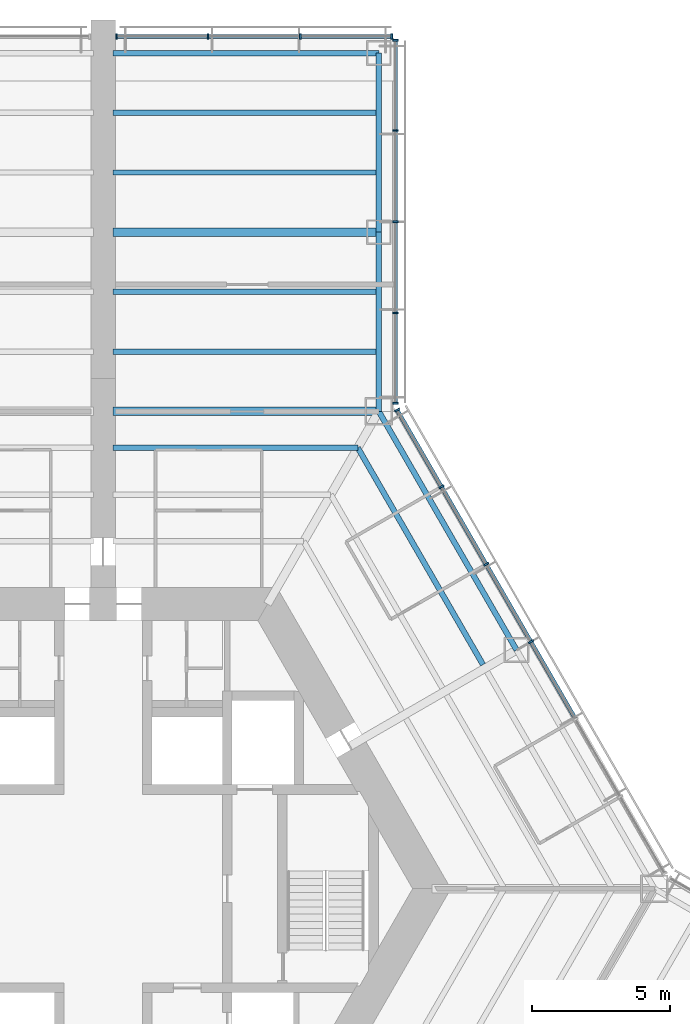
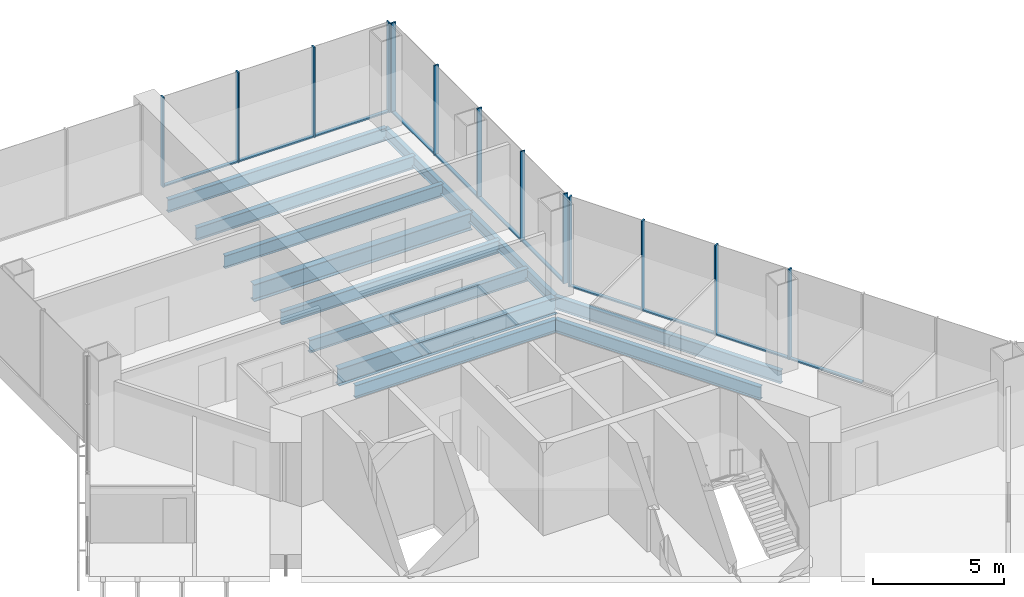
# One storey, part 7 of 17: 24 members, 12 beams, 3 elements without a shape of their own.
"""IFC4 building model written with IfcOpenShell, lengths in metres."""

from ifc_helpers import new_model, si_unit, direction, frame, origin, origin_2d, place, context, subcontext, project, spatial, rectangle, i_section, extrude, material, material_profile, profile_set, type_object, element, aggregate, save


model = new_model("IFC4")

# Units and contexts
model_context = context("Model", 3, precision=1e-05, world=origin(), true_north=direction((0.0, 1.0)))
body_context = subcontext(model_context, "Body", "Model", "MODEL_VIEW")
ifc_project = project(units=[si_unit("LENGTHUNIT", "METRE"), si_unit("AREAUNIT", "SQUARE_METRE"), si_unit("VOLUMEUNIT", "CUBIC_METRE"), si_unit("PLANEANGLEUNIT", "RADIAN"), si_unit("MASSUNIT", "GRAM", prefix="KILO")], contexts=[model_context])

# Site, building, storey
site_placement = place(None, origin())
site = spatial("IfcSite", under=ifc_project, at=site_placement, CompositionType="ELEMENT")
building_placement = place(site_placement, origin())
building = spatial("IfcBuilding", under=site, at=building_placement, Name="Kasaneha Research Tower", CompositionType="ELEMENT")
storey_placement = place(building_placement, frame((0.0, 0.0, 47.800048828125)))
storey = spatial("IfcBuildingStorey", under=building, at=storey_placement, Name="L12", CompositionType="ELEMENT", Elevation=47.800048828125)

# Beams
ifc_material_1 = material(Name="Steel SN490B", Category="steel")
ifc_material_profile_1 = material_profile(ifc_material_1, i_section(OverallWidth=0.199951171875, OverallDepth=0.60009765625, WebThickness=0.010986328125, FlangeThickness=0.01708984375, FilletRadius=0.012939453125, at=origin_2d()), Name="H-600x200x11x17")
ifc_profile_set_1 = profile_set([ifc_material_profile_1], Name="Steel SN490B")
beam_type_1 = type_object("IfcBeamType", Name="B1-2 secondary beam H-600x200x11x17", PredefinedType="JOIST", material=ifc_profile_set_1)
beam_1_placement = place(storey_placement, frame((9.237548828125, 16.0, -0.469970703125), z_axis=(0.500010814234, -0.866019160093, 0.0), x_axis=(0.866019160093, 0.500010814234, 0.0)))
element("IfcBeam", 1, at=beam_1_placement, inside=storey, type_object=beam_type_1, Name="Secondary beam RS030R3 L12", PredefinedType="JOIST", context=body_context, shape_type="SweptSolid", body=[
    extrude(i_section(OverallWidth=0.199951171875, OverallDepth=0.60009765625, WebThickness=0.010986328125, FlangeThickness=0.01708984375, FilletRadius=0.012939453125, at=origin_2d()), origin(), (0.0, 0.0, 1.0), 9.087646484375),
])
beam_2_placement = place(storey_placement, frame((9.237548828125, 16.0, -0.469970703125), z_axis=(-1.0, 0.0, 0.0), x_axis=(0.0, -1.0, 0.0)))
element("IfcBeam", 2, at=beam_2_placement, inside=storey, type_object=beam_type_1, Name="Secondary beam RS090L3 L12", PredefinedType="JOIST", context=body_context, shape_type="SweptSolid", body=[
    extrude(i_section(OverallWidth=0.199951171875, OverallDepth=0.60009765625, WebThickness=0.010986328125, FlangeThickness=0.01708984375, FilletRadius=0.012939453125, at=origin_2d()), origin(), (0.0, 0.0, 1.0), 8.887451171875),
])
ifc_material_2 = material(Name="Steel SN490B", Category="steel")
ifc_material_profile_2 = material_profile(ifc_material_2, i_section(OverallWidth=0.198974609375, OverallDepth=0.595947265625, WebThickness=0.010009765625, FlangeThickness=0.014892578125, FilletRadius=0.012939453125, at=origin_2d()), Name="H-596x199x10x15")
ifc_profile_set_2 = profile_set([ifc_material_profile_2], Name="Steel SN490B")
beam_type_2 = type_object("IfcBeamType", Name="B2-2 secondary beam H-596x199x10x15", PredefinedType="JOIST", material=ifc_profile_set_2)
for number, where, z_axis, x_axis, name in (
    (3, (10.0, 19.487060546875, -0.468017578125), (-1.0, 0.0, 0.0), (0.0, -1.0, 0.0), "Secondary beam WBAP1 L12"),
    (4, (10.0, 21.65380859375, -0.468017578125), (-1.0, 0.0, 0.0), (0.0, -1.0, 0.0), "Secondary beam WBAP2 L12"),
    (5, (10.0, 25.987060546875, -0.468017578125), (-1.0, 0.0, 0.0), (0.0, -1.0, 0.0), "Secondary beam WBAP3 L12"),
    (6, (10.0, 28.15380859375, -0.468017578125), (-1.0, 0.0, 0.0), (0.0, -1.0, 0.0), "Secondary beam WBAP4 L12"),
):
    element("IfcBeam", number, at=place(storey_placement, frame(where, z_axis=z_axis, x_axis=x_axis)), inside=storey, type_object=beam_type_2, Name=name, PredefinedType="JOIST", context=body_context, shape_type="SweptSolid", body=[
        extrude(i_section(OverallWidth=0.198974609375, OverallDepth=0.595947265625, WebThickness=0.010009765625, FlangeThickness=0.014892578125, FilletRadius=0.012939453125, at=origin_2d()), origin(), (0.0, 0.0, 1.0), 9.64990234375),
    ])

# Curtain wall, members
ifc_material_3 = material(Name="Glass and aluminium", Category="aluminium")
curtain_wall_type = type_object("IfcCurtainWallType", Name="Dry laboratory curtain wall", PredefinedType="USERDEFINED", material=ifc_material_3)
curtain_wall_1_placement = place(storey_placement, origin())
curtain_wall_1 = element("IfcCurtainWall", 7, at=curtain_wall_1_placement, inside=storey, type_object=curtain_wall_type, Name="CW-L2 L12 run 07a", ObjectType="UNITISED CURTAIN WALL", PredefinedType="USERDEFINED")
ifc_material_4 = material(Name="Aluminium 6063-T6", Category="aluminium")
ifc_material_profile_3 = material_profile(ifc_material_4, rectangle(XDim=0.06494140625, YDim=0.199951171875, at=origin_2d()), Name="CW-L2 mullion 65x200")
ifc_profile_set_3 = profile_set([ifc_material_profile_3], Name="Aluminium 6063-T6")
member_type_1 = type_object("IfcMemberType", Name="CW-L2 mullion", PredefinedType="MULLION", material=ifc_profile_set_3)
member_1_placement = place(storey_placement, frame((15.51953125, 8.960205078125, 0.0), z_axis=(0.0, 0.0, 1.0), x_axis=(-0.49999996188, 0.866025425793, 0.0)))
member_1 = element("IfcMember", 8, at=member_1_placement, type_object=member_type_1, Name="CW-L2 mullion 4", PredefinedType="MULLION", context=body_context, shape_type="SweptSolid", body=[
    extrude(rectangle(XDim=0.06494140625, YDim=0.199951171875, at=origin_2d()), origin(), (0.0, 0.0, 1.0), 4.199951171875),
])
member_2_placement = place(storey_placement, frame((13.896484375, 11.771728515625, 0.0), z_axis=(0.0, 0.0, 1.0), x_axis=(-0.49999996188, 0.866025425793, 0.0)))
member_2 = element("IfcMember", 9, at=member_2_placement, type_object=member_type_1, Name="CW-L2 mullion 5", PredefinedType="MULLION", context=body_context, shape_type="SweptSolid", body=[
    extrude(rectangle(XDim=0.06494140625, YDim=0.199951171875, at=origin_2d()), origin(), (0.0, 0.0, 1.0), 4.199951171875),
])
member_3_placement = place(storey_placement, frame((12.273193359375, 14.583251953125, 0.0), z_axis=(0.0, 0.0, 1.0), x_axis=(-0.49999996188, 0.866025425793, 0.0)))
member_3 = element("IfcMember", 10, at=member_3_placement, type_object=member_type_1, Name="CW-L2 mullion 6", PredefinedType="MULLION", context=body_context, shape_type="SweptSolid", body=[
    extrude(rectangle(XDim=0.06494140625, YDim=0.199951171875, at=origin_2d()), origin(), (0.0, 0.0, 1.0), 4.199951171875),
])
member_4_placement = place(storey_placement, frame((10.666259765625, 17.366455078125, 0.0), z_axis=(0.0, 0.0, 1.0), x_axis=(-0.49999996188, 0.866025425793, 0.0)))
member_4 = element("IfcMember", 11, at=member_4_placement, type_object=member_type_1, Name="CW-L2 mullion 7", PredefinedType="MULLION", context=body_context, shape_type="SweptSolid", body=[
    extrude(rectangle(XDim=0.06494140625, YDim=0.199951171875, at=origin_2d()), origin(), (0.0, 0.0, 1.0), 4.199951171875),
])

curtain_wall_2_placement = place(storey_placement, origin())
curtain_wall_2 = element("IfcCurtainWall", 12, at=curtain_wall_2_placement, inside=storey, type_object=curtain_wall_type, Name="CW-L2 L12 run 08a", ObjectType="UNITISED CURTAIN WALL", PredefinedType="USERDEFINED")
member_5_placement = place(storey_placement, frame((10.60009765625, 17.61376953125, 0.0), z_axis=(0.0, 0.0, 1.0), x_axis=(0.0, 1.0, 0.0)))
member_5 = element("IfcMember", 13, at=member_5_placement, type_object=member_type_1, Name="CW-L2 mullion 1", PredefinedType="MULLION", context=body_context, shape_type="SweptSolid", body=[
    extrude(rectangle(XDim=0.06494140625, YDim=0.199951171875, at=origin_2d()), origin(), (0.0, 0.0, 1.0), 4.199951171875),
])
member_6_placement = place(storey_placement, frame((10.60009765625, 20.89111328125, 0.0), z_axis=(0.0, 0.0, 1.0), x_axis=(0.0, 1.0, 0.0)))
member_6 = element("IfcMember", 14, at=member_6_placement, type_object=member_type_1, Name="CW-L2 mullion 2", PredefinedType="MULLION", context=body_context, shape_type="SweptSolid", body=[
    extrude(rectangle(XDim=0.06494140625, YDim=0.199951171875, at=origin_2d()), origin(), (0.0, 0.0, 1.0), 4.199951171875),
])
member_7_placement = place(storey_placement, frame((10.60009765625, 24.200927734375, 0.0), z_axis=(0.0, 0.0, 1.0), x_axis=(0.0, 1.0, 0.0)))
member_7 = element("IfcMember", 15, at=member_7_placement, type_object=member_type_1, Name="CW-L2 mullion 3", PredefinedType="MULLION", context=body_context, shape_type="SweptSolid", body=[
    extrude(rectangle(XDim=0.06494140625, YDim=0.199951171875, at=origin_2d()), origin(), (0.0, 0.0, 1.0), 4.199951171875),
])
member_8_placement = place(storey_placement, frame((10.60009765625, 27.5107421875, 0.0), z_axis=(0.0, 0.0, 1.0), x_axis=(0.0, 1.0, 0.0)))
member_8 = element("IfcMember", 16, at=member_8_placement, type_object=member_type_1, Name="CW-L2 mullion 4", PredefinedType="MULLION", context=body_context, shape_type="SweptSolid", body=[
    extrude(rectangle(XDim=0.06494140625, YDim=0.199951171875, at=origin_2d()), origin(), (0.0, 0.0, 1.0), 4.199951171875),
])
member_9_placement = place(storey_placement, frame((10.60009765625, 30.7880859375, 0.0), z_axis=(0.0, 0.0, 1.0), x_axis=(0.0, 1.0, 0.0)))
member_9 = element("IfcMember", 17, at=member_9_placement, type_object=member_type_1, Name="CW-L2 mullion 5", PredefinedType="MULLION", context=body_context, shape_type="SweptSolid", body=[
    extrude(rectangle(XDim=0.06494140625, YDim=0.199951171875, at=origin_2d()), origin(), (0.0, 0.0, 1.0), 4.199951171875),
])

curtain_wall_3_placement = place(storey_placement, origin())
curtain_wall_3 = element("IfcCurtainWall", 18, at=curtain_wall_3_placement, inside=storey, type_object=curtain_wall_type, Name="CW-L2 L12 run 09a", ObjectType="UNITISED CURTAIN WALL", PredefinedType="USERDEFINED")
member_10_placement = place(storey_placement, frame((10.467529296875, 30.92041015625, 0.0), z_axis=(0.0, 0.0, 1.0), x_axis=(-1.0, 0.0, 0.0)))
member_10 = element("IfcMember", 19, at=member_10_placement, type_object=member_type_1, Name="CW-L2 mullion 1", PredefinedType="MULLION", context=body_context, shape_type="SweptSolid", body=[
    extrude(rectangle(XDim=0.06494140625, YDim=0.199951171875, at=origin_2d()), origin(), (0.0, 0.0, 1.0), 4.199951171875),
])
member_11_placement = place(storey_placement, frame((7.14990234375, 30.92041015625, 0.0), z_axis=(0.0, 0.0, 1.0), x_axis=(-1.0, 0.0, 0.0)))
member_11 = element("IfcMember", 20, at=member_11_placement, type_object=member_type_1, Name="CW-L2 mullion 2", PredefinedType="MULLION", context=body_context, shape_type="SweptSolid", body=[
    extrude(rectangle(XDim=0.06494140625, YDim=0.199951171875, at=origin_2d()), origin(), (0.0, 0.0, 1.0), 4.199951171875),
])
member_12_placement = place(storey_placement, frame((3.800048828125, 30.92041015625, 0.0), z_axis=(0.0, 0.0, 1.0), x_axis=(-1.0, 0.0, 0.0)))
member_12 = element("IfcMember", 21, at=member_12_placement, type_object=member_type_1, Name="CW-L2 mullion 3", PredefinedType="MULLION", context=body_context, shape_type="SweptSolid", body=[
    extrude(rectangle(XDim=0.06494140625, YDim=0.199951171875, at=origin_2d()), origin(), (0.0, 0.0, 1.0), 4.199951171875),
])
member_13_placement = place(storey_placement, frame((0.482421875, 30.92041015625, 0.0), z_axis=(0.0, 0.0, 1.0), x_axis=(-1.0, 0.0, 0.0)))
member_13 = element("IfcMember", 22, at=member_13_placement, type_object=member_type_1, Name="CW-L2 mullion 4", PredefinedType="MULLION", context=body_context, shape_type="SweptSolid", body=[
    extrude(rectangle(XDim=0.06494140625, YDim=0.199951171875, at=origin_2d()), origin(), (0.0, 0.0, 1.0), 4.199951171875),
])

# Member
ifc_material_5 = material(Name="Aluminium 6063-T6", Category="aluminium")
ifc_material_profile_4 = material_profile(ifc_material_5, rectangle(XDim=0.14990234375, YDim=0.06494140625, at=origin_2d()), Name="CW-L2 transom 150x65")
ifc_profile_set_4 = profile_set([ifc_material_profile_4], Name="Aluminium 6063-T6")
member_type_2 = type_object("IfcMemberType", Name="CW-L2 transom", PredefinedType="USERDEFINED", material=ifc_profile_set_4)
member_14_placement = place(storey_placement, frame((17.12646484375, 6.177001953125, 0.032470703125), z_axis=(-0.499977104415, 0.866038622153, 0.0), x_axis=(-0.866038622153, -0.499977104415, 0.0)))
member_14 = element("IfcMember", 23, at=member_14_placement, type_object=member_type_2, Name="CW-L2 transom 3", ObjectType="TRANSOM", PredefinedType="USERDEFINED", context=body_context, shape_type="SweptSolid", body=[
    extrude(rectangle(XDim=0.14990234375, YDim=0.06494140625, at=origin_2d()), origin(), (0.0, 0.0, 1.0), 3.181396484375),
])

member_15_placement = place(storey_placement, frame((15.50341796875, 8.98828125, 0.032470703125), z_axis=(-0.500001430823, 0.866024577697, 0.0), x_axis=(-0.866024577697, -0.500001430823, 0.0)))
member_15 = element("IfcMember", 24, at=member_15_placement, type_object=member_type_2, Name="CW-L2 transom 4", ObjectType="TRANSOM", PredefinedType="USERDEFINED", context=body_context, shape_type="SweptSolid", body=[
    extrude(rectangle(XDim=0.14990234375, YDim=0.06494140625, at=origin_2d()), origin(), (0.0, 0.0, 1.0), 3.181640625),
])

member_16_placement = place(storey_placement, frame((13.880126953125, 11.7998046875, 0.032470703125), z_axis=(-0.499943876812, 0.866057804098, 0.0), x_axis=(-0.866057804098, -0.499943876812, 0.0)))
member_16 = element("IfcMember", 25, at=member_16_placement, type_object=member_type_2, Name="CW-L2 transom 5", ObjectType="TRANSOM", PredefinedType="USERDEFINED", context=body_context, shape_type="SweptSolid", body=[
    extrude(rectangle(XDim=0.14990234375, YDim=0.06494140625, at=origin_2d()), origin(), (0.0, 0.0, 1.0), 3.181396484375),
])

member_17_placement = place(storey_placement, frame((12.2568359375, 14.611328125, 0.032470703125), z_axis=(-0.499941702305, 0.866059059358, 0.0), x_axis=(-0.866059059358, -0.499941702305, 0.0)))
member_17 = element("IfcMember", 26, at=member_17_placement, type_object=member_type_2, Name="CW-L2 transom 6", ObjectType="TRANSOM", PredefinedType="USERDEFINED", context=body_context, shape_type="SweptSolid", body=[
    extrude(rectangle(XDim=0.14990234375, YDim=0.06494140625, at=origin_2d()), origin(), (0.0, 0.0, 1.0), 3.14892578125),
])

aggregate(curtain_wall_1, [member_1, member_2, member_3, member_4, member_14, member_15, member_16, member_17])

member_18_placement = place(storey_placement, frame((10.60009765625, 17.646240234375, 0.032470703125), z_axis=(0.0, 1.0, 0.0), x_axis=(-1.0, 0.0, 0.0)))
member_18 = element("IfcMember", 27, at=member_18_placement, type_object=member_type_2, Name="CW-L2 transom 1", ObjectType="TRANSOM", PredefinedType="USERDEFINED", context=body_context, shape_type="SweptSolid", body=[
    extrude(rectangle(XDim=0.14990234375, YDim=0.06494140625, at=origin_2d()), origin(), (0.0, 0.0, 1.0), 3.21240234375),
])

member_19_placement = place(storey_placement, frame((10.60009765625, 20.923583984375, 0.032470703125), z_axis=(0.0, 1.0, 0.0), x_axis=(-1.0, 0.0, 0.0)))
member_19 = element("IfcMember", 28, at=member_19_placement, type_object=member_type_2, Name="CW-L2 transom 2", ObjectType="TRANSOM", PredefinedType="USERDEFINED", context=body_context, shape_type="SweptSolid", body=[
    extrude(rectangle(XDim=0.14990234375, YDim=0.06494140625, at=origin_2d()), origin(), (0.0, 0.0, 1.0), 3.244873046875),
])

member_20_placement = place(storey_placement, frame((10.60009765625, 24.2333984375, 0.032470703125), z_axis=(0.0, 1.0, 0.0), x_axis=(-1.0, 0.0, 0.0)))
member_20 = element("IfcMember", 29, at=member_20_placement, type_object=member_type_2, Name="CW-L2 transom 3", ObjectType="TRANSOM", PredefinedType="USERDEFINED", context=body_context, shape_type="SweptSolid", body=[
    extrude(rectangle(XDim=0.14990234375, YDim=0.06494140625, at=origin_2d()), origin(), (0.0, 0.0, 1.0), 3.244873046875),
])

member_21_placement = place(storey_placement, frame((10.60009765625, 27.543212890625, 0.032470703125), z_axis=(0.0, 1.0, 0.0), x_axis=(-1.0, 0.0, 0.0)))
member_21 = element("IfcMember", 30, at=member_21_placement, type_object=member_type_2, Name="CW-L2 transom 4", ObjectType="TRANSOM", PredefinedType="USERDEFINED", context=body_context, shape_type="SweptSolid", body=[
    extrude(rectangle(XDim=0.14990234375, YDim=0.06494140625, at=origin_2d()), origin(), (0.0, 0.0, 1.0), 3.21240234375),
])

aggregate(curtain_wall_2, [member_5, member_6, member_7, member_8, member_9, member_18, member_19, member_20, member_21])

member_22_placement = place(storey_placement, frame((10.43505859375, 30.92041015625, 0.032470703125), z_axis=(-1.0, 0.0, 0.0), x_axis=(0.0, -1.0, 0.0)))
member_22 = element("IfcMember", 31, at=member_22_placement, type_object=member_type_2, Name="CW-L2 transom 1", ObjectType="TRANSOM", PredefinedType="USERDEFINED", context=body_context, shape_type="SweptSolid", body=[
    extrude(rectangle(XDim=0.14990234375, YDim=0.06494140625, at=origin_2d()), origin(), (0.0, 0.0, 1.0), 3.25244140625),
])

member_23_placement = place(storey_placement, frame((7.117431640625, 30.92041015625, 0.032470703125), z_axis=(-1.0, 0.0, 0.0), x_axis=(0.0, -1.0, 0.0)))
member_23 = element("IfcMember", 32, at=member_23_placement, type_object=member_type_2, Name="CW-L2 transom 2", ObjectType="TRANSOM", PredefinedType="USERDEFINED", context=body_context, shape_type="SweptSolid", body=[
    extrude(rectangle(XDim=0.14990234375, YDim=0.06494140625, at=origin_2d()), origin(), (0.0, 0.0, 1.0), 3.284912109375),
])

member_24_placement = place(storey_placement, frame((3.767578125, 30.92041015625, 0.032470703125), z_axis=(-1.0, 0.0, 0.0), x_axis=(0.0, -1.0, 0.0)))
member_24 = element("IfcMember", 33, at=member_24_placement, type_object=member_type_2, Name="CW-L2 transom 3", ObjectType="TRANSOM", PredefinedType="USERDEFINED", context=body_context, shape_type="SweptSolid", body=[
    extrude(rectangle(XDim=0.14990234375, YDim=0.06494140625, at=origin_2d()), origin(), (0.0, 0.0, 1.0), 3.252685546875),
])

aggregate(curtain_wall_3, [member_10, member_11, member_12, member_13, member_22, member_23, member_24])

# Beams
ifc_material_6 = material(Name="Steel SN490B", Category="steel")
ifc_material_profile_5 = material_profile(ifc_material_6, i_section(OverallWidth=0.300048828125, OverallDepth=0.7919921875, WebThickness=0.013916015625, FlangeThickness=0.02197265625, FilletRadius=0.01806640625, at=origin_2d()), Name="H-792x300x14x22")
ifc_profile_set_5 = profile_set([ifc_material_profile_5], Name="Steel SN490B")
beam_type_3 = type_object("IfcBeamType", Name="G3-2 plate edge girder H-792x300x14x22", PredefinedType="BEAM", material=ifc_profile_set_5)
beam_3_placement = place(storey_placement, frame((10.0, 17.320556640625, -0.566162109375), z_axis=(-1.0, 0.0, 0.0), x_axis=(0.0, -1.0, 0.0)))
element("IfcBeam", 34, at=beam_3_placement, inside=storey, type_object=beam_type_3, Name="Plate edge girder PEAP L12", PredefinedType="BEAM", context=body_context, shape_type="SweptSolid", body=[
    extrude(i_section(OverallWidth=0.300048828125, OverallDepth=0.7919921875, WebThickness=0.013916015625, FlangeThickness=0.02197265625, FilletRadius=0.01806640625, at=origin_2d()), origin(), (0.0, 0.0, 1.0), 9.64990234375),
])
ifc_material_7 = material(Name="Steel SN490B", Category="steel")
ifc_material_profile_6 = material_profile(ifc_material_7, i_section(OverallWidth=0.300048828125, OverallDepth=0.800048828125, WebThickness=0.013916015625, FlangeThickness=0.02587890625, FilletRadius=0.01806640625, at=origin_2d()), Name="H-800x300x14x26")
ifc_profile_set_6 = profile_set([ifc_material_profile_6], Name="Steel SN490B")
beam_type_4 = type_object("IfcBeamType", Name="G4-2 wing girder H-800x300x14x26", PredefinedType="BEAM", material=ifc_profile_set_6)
beam_4_placement = place(storey_placement, frame((10.0, 23.820556640625, -0.570068359375), z_axis=(-1.0, 0.0, 0.0), x_axis=(0.0, -1.0, 0.0)))
element("IfcBeam", 35, at=beam_4_placement, inside=storey, type_object=beam_type_4, Name="Wing girder WGAP L12", PredefinedType="BEAM", context=body_context, shape_type="SweptSolid", body=[
    extrude(i_section(OverallWidth=0.300048828125, OverallDepth=0.800048828125, WebThickness=0.013916015625, FlangeThickness=0.02587890625, FilletRadius=0.01806640625, at=origin_2d()), origin(), (0.0, 0.0, 1.0), 9.64990234375),
])
ifc_material_8 = material(Name="Steel SN490B", Category="steel")
ifc_material_profile_7 = material_profile(ifc_material_8, i_section(OverallWidth=0.199951171875, OverallDepth=0.60009765625, WebThickness=0.010986328125, FlangeThickness=0.01708984375, FilletRadius=0.012939453125, at=origin_2d()), Name="H-600x200x11x17")
ifc_profile_set_7 = profile_set([ifc_material_profile_7], Name="Steel SN490B")
beam_type_5 = type_object("IfcBeamType", Name="SB1-2 spandrel beam H-600x200x11x17", PredefinedType="SPANDREL", material=ifc_profile_set_7)
beam_5_placement = place(storey_placement, frame((10.0, 17.320556640625, -0.469970703125), z_axis=(0.499993662806, -0.866029062534, 0.0), x_axis=(0.866029062534, 0.499993662806, 0.0)))
element("IfcBeam", 36, at=beam_5_placement, inside=storey, type_object=beam_type_5, Name="Spandrel beam SR030R L12", PredefinedType="SPANDREL", context=body_context, shape_type="SweptSolid", body=[
    extrude(i_section(OverallWidth=0.199951171875, OverallDepth=0.60009765625, WebThickness=0.010986328125, FlangeThickness=0.01708984375, FilletRadius=0.012939453125, at=origin_2d()), origin(), (0.0, 0.0, 1.0), 10.000244140625),
])
ifc_material_9 = material(Name="Steel SN490B", Category="steel")
ifc_material_profile_8 = material_profile(ifc_material_9, i_section(OverallWidth=0.199951171875, OverallDepth=0.5, WebThickness=0.010009765625, FlangeThickness=0.01611328125, FilletRadius=0.012939453125, at=origin_2d()), Name="H-500x200x10x16")
ifc_profile_set_8 = profile_set([ifc_material_profile_8], Name="Steel SN490B")
beam_type_6 = type_object("IfcBeamType", Name="SB2-2 spandrel beam H-500x200x10x16", PredefinedType="SPANDREL", material=ifc_profile_set_8)
for number, where, z_axis, x_axis, name in (
    (37, (10.0, 17.320556640625, -0.420166015625), (0.0, 1.0, 0.0), (-1.0, 0.0, 0.0), "Spandrel beam WSAP1 L12"),
    (38, (10.0, 23.820556640625, -0.420166015625), (0.0, 1.0, 0.0), (-1.0, 0.0, 0.0), "Spandrel beam WSAP2 L12"),
):
    element("IfcBeam", number, at=place(storey_placement, frame(where, z_axis=z_axis, x_axis=x_axis)), inside=storey, type_object=beam_type_6, Name=name, PredefinedType="SPANDREL", context=body_context, shape_type="SweptSolid", body=[
        extrude(i_section(OverallWidth=0.199951171875, OverallDepth=0.5, WebThickness=0.010009765625, FlangeThickness=0.01611328125, FilletRadius=0.012939453125, at=origin_2d()), origin(), (0.0, 0.0, 1.0), 6.5),
    ])
ifc_material_10 = material(Name="Steel SN490B", Category="steel")
ifc_material_profile_9 = material_profile(ifc_material_10, i_section(OverallWidth=0.199951171875, OverallDepth=0.60009765625, WebThickness=0.010986328125, FlangeThickness=0.01708984375, FilletRadius=0.012939453125, at=origin_2d()), Name="H-600x200x11x17")
ifc_profile_set_9 = profile_set([ifc_material_profile_9], Name="Steel SN490B")
beam_type_7 = type_object("IfcBeamType", Name="SB3-2 spandrel beam H-600x200x11x17", PredefinedType="SPANDREL", material=ifc_profile_set_9)
beam_6_placement = place(storey_placement, frame((10.0, 30.320556640625, -0.469970703125), z_axis=(-1.0, 0.0, 0.0), x_axis=(0.0, -1.0, 0.0)))
element("IfcBeam", 39, at=beam_6_placement, inside=storey, type_object=beam_type_7, Name="Spandrel beam WTAP L12", PredefinedType="SPANDREL", context=body_context, shape_type="SweptSolid", body=[
    extrude(i_section(OverallWidth=0.199951171875, OverallDepth=0.60009765625, WebThickness=0.010986328125, FlangeThickness=0.01708984375, FilletRadius=0.012939453125, at=origin_2d()), origin(), (0.0, 0.0, 1.0), 9.64990234375),
])

save(model, "model.ifc")
